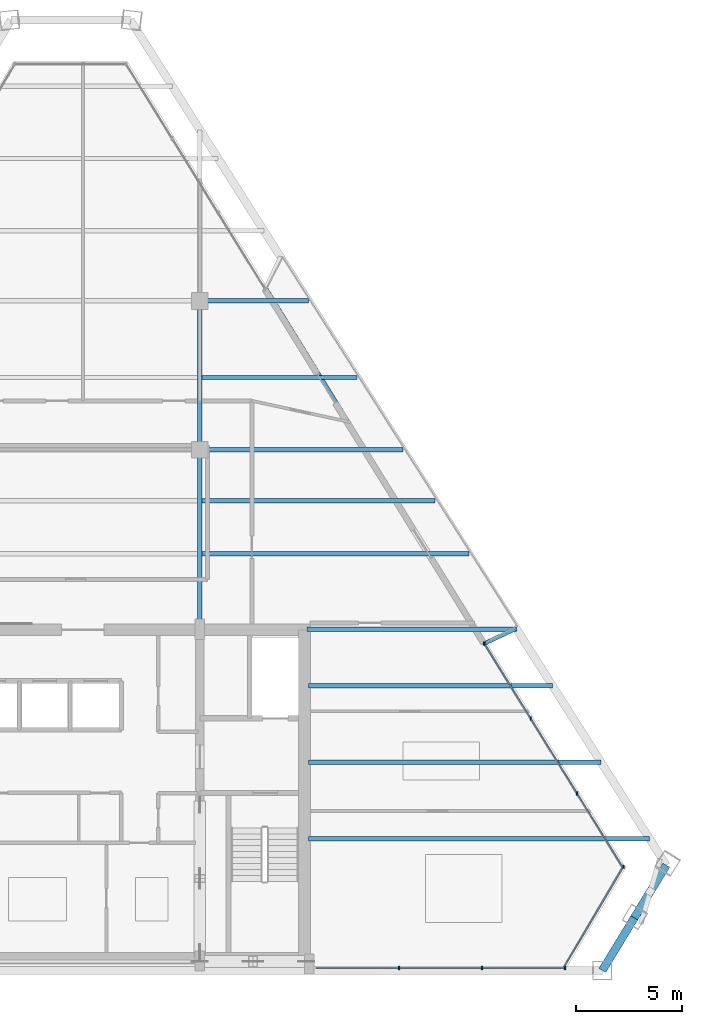
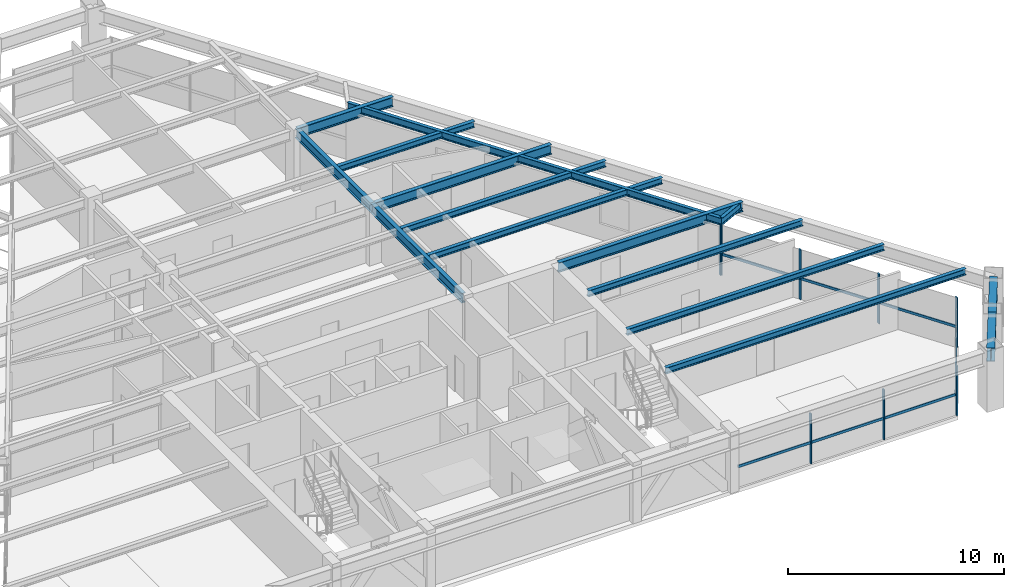
# One storey, part 5 of 13: 15 beams, 15 members, 3 elements without a shape of their own.
"""IFC4 building model written with IfcOpenShell, lengths in metres."""

from ifc_helpers import new_model, si_unit, direction, frame, origin, origin_2d, place, context, subcontext, project, spatial, rectangle, i_section, extrude, source, transform, mapped, material, material_profile, profile_set, type_object, type_shapes, element, aggregate, save


model = new_model("IFC4")

# Units and contexts
model_context = context("Model", 3, precision=1e-05, world=origin(), true_north=direction((0.0, 1.0)))
body_context = subcontext(model_context, "Body", "Model", "MODEL_VIEW")
ifc_project = project(units=[si_unit("LENGTHUNIT", "METRE"), si_unit("AREAUNIT", "SQUARE_METRE"), si_unit("VOLUMEUNIT", "CUBIC_METRE"), si_unit("PLANEANGLEUNIT", "RADIAN"), si_unit("MASSUNIT", "GRAM", prefix="KILO")], contexts=[model_context])

# Site, building, storey
site_placement = place(None, origin())
site = spatial("IfcSite", under=ifc_project, at=site_placement, CompositionType="ELEMENT")
building_placement = place(site_placement, origin())
building = spatial("IfcBuilding", under=site, at=building_placement, Name="Varnakhor Terracotta Tower", CompositionType="ELEMENT")
storey_placement = place(building_placement, frame((0.0, 0.0, 237.25)))
storey = spatial("IfcBuildingStorey", under=building, at=storey_placement, Name="L61", CompositionType="ELEMENT", Elevation=237.25)

# Beams
ifc_material_1 = material(Name="Steel S355", Category="steel")
ifc_material_profile_1 = material_profile(ifc_material_1, i_section(OverallWidth=0.214111328125, OverallDepth=0.549072265625, WebThickness=0.014892578125, FlangeThickness=0.02392578125, FilletRadius=0.01806640625, at=origin_2d()), Name="W21X93")
ifc_profile_set_1 = profile_set([ifc_material_profile_1], Name="Steel S355")
beam_type_1 = type_object("IfcBeamType", Name="BM-W21X93", PredefinedType="BEAM", material=ifc_profile_set_1)
shared_shape_1 = source(origin(), body_context, "Body", "SweptSolid", [
    extrude(i_section(OverallWidth=0.214111328125, OverallDepth=0.549072265625, WebThickness=0.014892578125, FlangeThickness=0.02392578125, FilletRadius=0.01806640625, at=origin_2d()), origin(), (0.0, 0.0, 1.0), 8.449951171875),
])
type_shapes(beam_type_1, [shared_shape_1])
beam_1_placement = place(storey_placement, frame((5.5, 16.050048828125, 2.965576171875), z_axis=(0.0, 1.0, 0.0), x_axis=(-1.0, 0.0, 0.0)))
element("IfcBeam", 1, at=beam_1_placement, inside=storey, type_object=beam_type_1, Name="L61 Primary Girder NS1-E", PredefinedType="BEAM", context=body_context, shape_type="MappedRepresentation", body=[
    mapped(shared_shape_1, transform((0.0, 0.0, 0.0), scale=1.0)),
])
shared_shape_2 = source(origin(), body_context, "Body", "SweptSolid", [
    extrude(i_section(OverallWidth=0.214111328125, OverallDepth=0.549072265625, WebThickness=0.014892578125, FlangeThickness=0.02392578125, FilletRadius=0.01806640625, at=origin_2d()), origin(), (0.0, 0.0, 1.0), 7.0),
])
beam_2_placement = place(storey_placement, frame((5.5, 24.5, 2.965576171875), z_axis=(0.0, 1.0, 0.0), x_axis=(-1.0, 0.0, 0.0)))
element("IfcBeam", 2, at=beam_2_placement, inside=storey, type_object=beam_type_1, Name="L61 Primary Girder NS2-E", PredefinedType="BEAM", context=body_context, shape_type="MappedRepresentation", body=[
    mapped(shared_shape_2, transform((0.0, 0.0, 0.0), scale=1.0)),
])
ifc_material_profile_2 = material_profile(ifc_material_1, i_section(OverallWidth=0.381103515625, OverallDepth=0.77294921875, WebThickness=0.01708984375, FlangeThickness=0.027099609375, FilletRadius=0.01806640625, at=origin_2d()), Name="W30X173")
ifc_profile_set_2 = profile_set([ifc_material_profile_2], Name="Steel S355")
beam_type_2 = type_object("IfcBeamType", Name="BM-W30X173", PredefinedType="BEAM", material=ifc_profile_set_2)
shared_shape_3 = source(origin(), body_context, "Body", "SweptSolid", [
    extrude(i_section(OverallWidth=0.381103515625, OverallDepth=0.77294921875, WebThickness=0.01708984375, FlangeThickness=0.027099609375, FilletRadius=0.01806640625, at=origin_2d()), origin(), (0.0, 0.0, 1.0), 2.89697265625),
])
for number, where, z_axis, x_axis, name in (
    (3, (24.434814453125, 0.0, 2.853515625), (0.519703642096, 0.854346606707, 0.0), (-0.854346606707, 0.519703642096, 0.0), "L61 Perimeter Spandrel 2"),
    (4, (25.9404296875, 2.47509765625, 2.853515625), (0.519642127448, 0.854384023365, 0.0), (-0.854384023365, 0.519642127448, 0.0), "L61 Perimeter Spandrel 3"),
):
    element("IfcBeam", number, at=place(storey_placement, frame(where, z_axis=z_axis, x_axis=x_axis)), inside=storey, type_object=beam_type_2, Name=name, PredefinedType="BEAM", context=body_context, shape_type="MappedRepresentation", body=[
        mapped(shared_shape_3, transform((0.0, 0.0, 0.0), scale=1.0)),
    ])
ifc_material_profile_3 = material_profile(ifc_material_1, i_section(OverallWidth=0.179931640625, OverallDepth=0.39990234375, WebThickness=0.008544921875, FlangeThickness=0.013427734375, FilletRadius=0.01806640625, at=origin_2d()), Name="IPE400")
ifc_profile_set_3 = profile_set([ifc_material_profile_3], Name="Steel S355")
beam_type_3 = type_object("IfcBeamType", Name="JST-IPE400", PredefinedType="JOIST", material=ifc_profile_set_3)
shared_shape_4 = source(origin(), body_context, "Body", "SweptSolid", [
    extrude(i_section(OverallWidth=0.179931640625, OverallDepth=0.39990234375, WebThickness=0.008544921875, FlangeThickness=0.013427734375, FilletRadius=0.01806640625, at=origin_2d()), origin(), (0.0, 0.0, 1.0), 19.658447265625),
])
beam_3_placement = place(storey_placement, frame((18.902587890625, 15.38330078125, 3.0400390625), z_axis=(-0.524731986951, 0.851267491374, 0.0), x_axis=(-0.851267491374, -0.524731986951, 0.0)))
element("IfcBeam", 5, at=beam_3_placement, inside=storey, type_object=beam_type_3, Name="L61 Loggia Edge Beam 1", PredefinedType="JOIST", context=body_context, shape_type="MappedRepresentation", body=[
    mapped(shared_shape_4, transform((0.0, 0.0, 0.0), scale=1.0)),
])
shared_shape_5 = source(origin(), body_context, "Body", "SweptSolid", [
    extrude(i_section(OverallWidth=0.214111328125, OverallDepth=0.549072265625, WebThickness=0.014892578125, FlangeThickness=0.02392578125, FilletRadius=0.01806640625, at=origin_2d()), origin(), (0.0, 0.0, 1.0), 9.8564453125),
])
beam_4_placement = place(storey_placement, frame((10.550048828125, 16.050048828125, 2.965576171875), z_axis=(1.0, 0.0, 0.0), x_axis=(0.0, 1.0, 0.0)))
element("IfcBeam", 6, at=beam_4_placement, inside=storey, type_object=beam_type_1, Name="L61 Wing Girder E", PredefinedType="BEAM", context=body_context, shape_type="MappedRepresentation", body=[
    mapped(shared_shape_5, transform((0.0, 0.0, 0.0), scale=1.0)),
])
shared_shape_6 = source(origin(), body_context, "Body", "SweptSolid", [
    extrude(i_section(OverallWidth=0.214111328125, OverallDepth=0.549072265625, WebThickness=0.014892578125, FlangeThickness=0.02392578125, FilletRadius=0.01806640625, at=origin_2d()), origin(), (0.0, 0.0, 1.0), 9.5478515625),
])
beam_5_placement = place(storey_placement, frame((5.5, 24.5, 2.965576171875), z_axis=(1.0, 0.0, 0.0), x_axis=(0.0, 1.0, 0.0)))
element("IfcBeam", 7, at=beam_5_placement, inside=storey, type_object=beam_type_1, Name="L61 Primary Girder EW2-3", PredefinedType="BEAM", context=body_context, shape_type="MappedRepresentation", body=[
    mapped(shared_shape_6, transform((0.0, 0.0, 0.0), scale=1.0)),
])
shared_shape_7 = source(origin(), body_context, "Body", "SweptSolid", [
    extrude(i_section(OverallWidth=0.214111328125, OverallDepth=0.549072265625, WebThickness=0.014892578125, FlangeThickness=0.02392578125, FilletRadius=0.01806640625, at=origin_2d()), origin(), (0.0, 0.0, 1.0), 5.1083984375),
])
beam_6_placement = place(storey_placement, frame((5.5, 31.5, 2.965576171875), z_axis=(1.0, 0.0, 0.0), x_axis=(0.0, 1.0, 0.0)))
element("IfcBeam", 8, at=beam_6_placement, inside=storey, type_object=beam_type_1, Name="L61 Primary Girder EW3-3", PredefinedType="BEAM", context=body_context, shape_type="MappedRepresentation", body=[
    mapped(shared_shape_7, transform((0.0, 0.0, 0.0), scale=1.0)),
])
ifc_material_profile_4 = material_profile(ifc_material_1, i_section(OverallWidth=0.202880859375, OverallDepth=0.346923828125, WebThickness=0.0078125, FlangeThickness=0.013427734375, FilletRadius=0.01806640625, at=origin_2d()), Name="W14X43")
ifc_profile_set_4 = profile_set([ifc_material_profile_4], Name="Steel S355")
beam_type_4 = type_object("IfcBeamType", Name="JST-W14X43", PredefinedType="JOIST", material=ifc_profile_set_4)
shared_shape_8 = source(origin(), body_context, "Body", "SweptSolid", [
    extrude(i_section(OverallWidth=0.202880859375, OverallDepth=0.346923828125, WebThickness=0.0078125, FlangeThickness=0.013427734375, FilletRadius=0.01806640625, at=origin_2d()), origin(), (0.0, 0.0, 1.0), 16.05322265625),
])
beam_7_placement = place(storey_placement, frame((10.60009765625, 6.199951171875, 3.06640625), z_axis=(1.0, 0.0, 0.0), x_axis=(0.0, 1.0, 0.0)))
element("IfcBeam", 9, at=beam_7_placement, inside=storey, type_object=beam_type_4, Name="L61 Floor Joist E1", PredefinedType="JOIST", context=body_context, shape_type="MappedRepresentation", body=[
    mapped(shared_shape_8, transform((0.0, 0.0, 0.0), scale=1.0)),
])
shared_shape_9 = source(origin(), body_context, "Body", "SweptSolid", [
    extrude(i_section(OverallWidth=0.202880859375, OverallDepth=0.346923828125, WebThickness=0.0078125, FlangeThickness=0.013427734375, FilletRadius=0.01806640625, at=origin_2d()), origin(), (0.0, 0.0, 1.0), 13.77001953125),
])
beam_8_placement = place(storey_placement, frame((10.60009765625, 9.800048828125, 3.06640625), z_axis=(1.0, 0.0, 0.0), x_axis=(0.0, 1.0, 0.0)))
element("IfcBeam", 10, at=beam_8_placement, inside=storey, type_object=beam_type_4, Name="L61 Floor Joist E2", PredefinedType="JOIST", context=body_context, shape_type="MappedRepresentation", body=[
    mapped(shared_shape_9, transform((0.0, 0.0, 0.0), scale=1.0)),
])
shared_shape_10 = source(origin(), body_context, "Body", "SweptSolid", [
    extrude(i_section(OverallWidth=0.202880859375, OverallDepth=0.346923828125, WebThickness=0.0078125, FlangeThickness=0.013427734375, FilletRadius=0.01806640625, at=origin_2d()), origin(), (0.0, 0.0, 1.0), 11.487060546875),
])
beam_9_placement = place(storey_placement, frame((10.60009765625, 13.39990234375, 3.06640625), z_axis=(1.0, 0.0, 0.0), x_axis=(0.0, 1.0, 0.0)))
element("IfcBeam", 11, at=beam_9_placement, inside=storey, type_object=beam_type_4, Name="L61 Floor Joist E3", PredefinedType="JOIST", context=body_context, shape_type="MappedRepresentation", body=[
    mapped(shared_shape_10, transform((0.0, 0.0, 0.0), scale=1.0)),
])
shared_shape_11 = source(origin(), body_context, "Body", "SweptSolid", [
    extrude(i_section(OverallWidth=0.202880859375, OverallDepth=0.346923828125, WebThickness=0.0078125, FlangeThickness=0.013427734375, FilletRadius=0.01806640625, at=origin_2d()), origin(), (0.0, 0.0, 1.0), 12.55224609375),
])
beam_10_placement = place(storey_placement, frame((5.60302734375, 19.60009765625, 3.06640625), z_axis=(1.0, 0.0, 0.0), x_axis=(0.0, 1.0, 0.0)))
element("IfcBeam", 12, at=beam_10_placement, inside=storey, type_object=beam_type_4, Name="L61 Composite Floor Joist 4-3", PredefinedType="JOIST", context=body_context, shape_type="MappedRepresentation", body=[
    mapped(shared_shape_11, transform((0.0, 0.0, 0.0), scale=1.0)),
])
shared_shape_12 = source(origin(), body_context, "Body", "SweptSolid", [
    extrude(i_section(OverallWidth=0.202880859375, OverallDepth=0.346923828125, WebThickness=0.0078125, FlangeThickness=0.013427734375, FilletRadius=0.01806640625, at=origin_2d()), origin(), (0.0, 0.0, 1.0), 10.966796875),
])
beam_11_placement = place(storey_placement, frame((5.60302734375, 22.10009765625, 3.06640625), z_axis=(1.0, 0.0, 0.0), x_axis=(0.0, 1.0, 0.0)))
element("IfcBeam", 13, at=beam_11_placement, inside=storey, type_object=beam_type_4, Name="L61 Composite Floor Joist 5-3", PredefinedType="JOIST", context=body_context, shape_type="MappedRepresentation", body=[
    mapped(shared_shape_12, transform((0.0, 0.0, 0.0), scale=1.0)),
])
shared_shape_13 = source(origin(), body_context, "Body", "SweptSolid", [
    extrude(i_section(OverallWidth=0.202880859375, OverallDepth=0.346923828125, WebThickness=0.0078125, FlangeThickness=0.013427734375, FilletRadius=0.01806640625, at=origin_2d()), origin(), (0.0, 0.0, 1.0), 7.28857421875),
])
beam_12_placement = place(storey_placement, frame((5.60302734375, 27.89990234375, 3.06640625), z_axis=(1.0, 0.0, 0.0), x_axis=(0.0, 1.0, 0.0)))
element("IfcBeam", 14, at=beam_12_placement, inside=storey, type_object=beam_type_4, Name="L61 Composite Floor Joist 6-3", PredefinedType="JOIST", context=body_context, shape_type="MappedRepresentation", body=[
    mapped(shared_shape_13, transform((0.0, 0.0, 0.0), scale=1.0)),
])

# Curtain wall, members
ifc_material_2 = material(Name="Anodised Aluminium Curtain Wall System", Category="aluminium")
curtain_wall_type = type_object("IfcCurtainWallType", Name="CW-SYS-HOTEL-LOGGIA", PredefinedType="NOTDEFINED", material=ifc_material_2)
curtain_wall_1_placement = place(storey_placement, origin())
curtain_wall_1 = element("IfcCurtainWall", 15, at=curtain_wall_1_placement, inside=storey, type_object=curtain_wall_type, Name="L61 E Facet Curtain Wall 2", PredefinedType="NOTDEFINED")
ifc_material_3 = material(Name="Anodised Aluminium 6063-T6", Category="aluminium")
ifc_material_profile_5 = material_profile(ifc_material_3, rectangle(XDim=0.06494140625, YDim=0.159912109375, at=origin_2d()), Name="ALU MULLION 65x160")
ifc_profile_set_5 = profile_set([ifc_material_profile_5], Name="Anodised Aluminium 6063-T6")
member_type_1 = type_object("IfcMemberType", Name="CWM-04", PredefinedType="MULLION", material=ifc_profile_set_5)
shared_shape_14 = source(origin(), body_context, "Body", "SweptSolid", [
    extrude(rectangle(XDim=0.06494140625, YDim=0.159912109375, at=origin_2d()), origin(), (0.0, 0.0, 1.0), 2.820068359375),
])
type_shapes(member_type_1, [shared_shape_14])
member_1_placement = place(storey_placement, frame((18.892578125, 15.371826171875, 0.0), z_axis=(0.0, 0.0, 1.0), x_axis=(1.0, 0.0, 0.0)))
member_1 = element("IfcMember", 16, at=member_1_placement, type_object=member_type_1, Name="L61 E Facet Curtain Wall 2 Mullion 1", PredefinedType="MULLION", context=body_context, shape_type="MappedRepresentation", body=[
    mapped(shared_shape_14, transform((0.0, 0.0, 0.0), scale=1.0)),
])
member_2_placement = place(storey_placement, frame((21.0703125, 11.849609375, 0.0), z_axis=(0.0, 0.0, 1.0), x_axis=(1.0, 0.0, 0.0)))
member_2 = element("IfcMember", 17, at=member_2_placement, type_object=member_type_1, Name="L61 E Facet Curtain Wall 2 Mullion 2", PredefinedType="MULLION", context=body_context, shape_type="MappedRepresentation", body=[
    mapped(shared_shape_14, transform((0.0, 0.0, 0.0), scale=1.0)),
])
member_3_placement = place(storey_placement, frame((23.247802734375, 8.327392578125, 0.0), z_axis=(0.0, 0.0, 1.0), x_axis=(1.0, 0.0, 0.0)))
member_3 = element("IfcMember", 18, at=member_3_placement, type_object=member_type_1, Name="L61 E Facet Curtain Wall 2 Mullion 3", PredefinedType="MULLION", context=body_context, shape_type="MappedRepresentation", body=[
    mapped(shared_shape_14, transform((0.0, 0.0, 0.0), scale=1.0)),
])
member_4_placement = place(storey_placement, frame((18.85986328125, 15.38671875, 0.0), z_axis=(0.0, 0.0, 1.0), x_axis=(1.0, 0.0, 0.0)))
member_4 = element("IfcMember", 19, at=member_4_placement, type_object=member_type_1, Name="L61 E Loggia Jamb Closure Mullion 2", PredefinedType="MULLION", context=body_context, shape_type="MappedRepresentation", body=[
    mapped(shared_shape_14, transform((0.0, 0.0, 0.0), scale=1.0)),
])

# Curtain wall, member
curtain_wall_2_placement = place(storey_placement, origin())
curtain_wall_2 = element("IfcCurtainWall", 20, at=curtain_wall_2_placement, inside=storey, type_object=curtain_wall_type, Name="L61 Facet Curtain Wall 4", PredefinedType="NOTDEFINED")
member_5_placement = place(storey_placement, frame((25.424560546875, 4.8779296875, 0.0), z_axis=(0.0, 0.0, 1.0), x_axis=(1.0, 0.0, 0.0)))
member_5 = element("IfcMember", 21, at=member_5_placement, type_object=member_type_1, Name="L61 Facet Curtain Wall 4 Mullion 1", PredefinedType="MULLION", context=body_context, shape_type="MappedRepresentation", body=[
    mapped(shared_shape_14, transform((0.0, 0.0, 0.0), scale=1.0)),
])

# Curtain wall, members
curtain_wall_3_placement = place(storey_placement, origin())
curtain_wall_3 = element("IfcCurtainWall", 22, at=curtain_wall_3_placement, inside=storey, type_object=curtain_wall_type, Name="L61 South Wing Curtain Wall SSE", PredefinedType="NOTDEFINED")
member_6_placement = place(storey_placement, frame((22.671630859375, 0.1201171875, 0.0), z_axis=(0.0, 0.0, 1.0), x_axis=(1.0, 0.0, 0.0)))
member_6 = element("IfcMember", 23, at=member_6_placement, type_object=member_type_1, Name="L61 South Wing Curtain Wall SSE Mullion 1", PredefinedType="MULLION", context=body_context, shape_type="MappedRepresentation", body=[
    mapped(shared_shape_14, transform((0.0, 0.0, 0.0), scale=1.0)),
])
member_7_placement = place(storey_placement, frame((18.77099609375, 0.1201171875, 0.0), z_axis=(0.0, 0.0, 1.0), x_axis=(1.0, 0.0, 0.0)))
member_7 = element("IfcMember", 24, at=member_7_placement, type_object=member_type_1, Name="L61 South Wing Curtain Wall SSE Mullion 2", PredefinedType="MULLION", context=body_context, shape_type="MappedRepresentation", body=[
    mapped(shared_shape_14, transform((0.0, 0.0, 0.0), scale=1.0)),
])
member_8_placement = place(storey_placement, frame((14.87060546875, 0.1201171875, 0.0), z_axis=(0.0, 0.0, 1.0), x_axis=(1.0, 0.0, 0.0)))
member_8 = element("IfcMember", 25, at=member_8_placement, type_object=member_type_1, Name="L61 South Wing Curtain Wall SSE Mullion 3", PredefinedType="MULLION", context=body_context, shape_type="MappedRepresentation", body=[
    mapped(shared_shape_14, transform((0.0, 0.0, 0.0), scale=1.0)),
])

# Beam
shared_shape_15 = source(origin(), body_context, "Body", "SweptSolid", [
    extrude(i_section(OverallWidth=0.179931640625, OverallDepth=0.39990234375, WebThickness=0.008544921875, FlangeThickness=0.013427734375, FilletRadius=0.01806640625, at=origin_2d()), origin(), (0.0, 0.0, 1.0), 1.639404296875),
])
beam_13_placement = place(storey_placement, frame((18.902587890625, 15.38330078125, 3.0400390625), z_axis=(0.903555807088, 0.428470423107, 0.0), x_axis=(-0.428470423107, 0.903555807088, 0.0)))
element("IfcBeam", 26, at=beam_13_placement, inside=storey, type_object=beam_type_3, Name="L62 E Loggia Tie Beam 2", PredefinedType="JOIST", context=body_context, shape_type="MappedRepresentation", body=[
    mapped(shared_shape_15, transform((0.0, 0.0, 0.0), scale=1.0)),
])

# Member
ifc_material_profile_6 = material_profile(ifc_material_3, rectangle(XDim=0.06494140625, YDim=0.14501953125, at=origin_2d()), Name="ALU TRANSOM 65x145")
ifc_profile_set_6 = profile_set([ifc_material_profile_6], Name="Anodised Aluminium 6063-T6")
member_type_2 = type_object("IfcMemberType", Name="CWT-04", PredefinedType="USERDEFINED", material=ifc_profile_set_6)
shared_shape_16 = source(origin(), body_context, "Body", "SweptSolid", [
    extrude(rectangle(XDim=0.06494140625, YDim=0.14501953125, at=origin_2d()), origin(), (0.0, 0.0, 1.0), 4.14111328125),
])
member_9_placement = place(storey_placement, frame((18.892578125, 15.371826171875, 1.184326171875), z_axis=(0.525885691054, -0.850555253905, 0.0), x_axis=(0.850555253905, 0.525885691054, 0.0)))
member_9 = element("IfcMember", 27, at=member_9_placement, type_object=member_type_2, Name="L61 E Facet Curtain Wall 2 Transom 1", ObjectType="TRANSOM", PredefinedType="USERDEFINED", context=body_context, shape_type="MappedRepresentation", body=[
    mapped(shared_shape_16, transform((0.0, 0.0, 0.0), scale=1.0)),
])

shared_shape_17 = source(origin(), body_context, "Body", "SweptSolid", [
    extrude(rectangle(XDim=0.06494140625, YDim=0.14501953125, at=origin_2d()), origin(), (0.0, 0.0, 1.0), 4.140869140625),
])
member_10_placement = place(storey_placement, frame((21.0703125, 11.849609375, 1.184326171875), z_axis=(0.52584303784, -0.850581624276, 0.0), x_axis=(0.850581624276, 0.52584303784, 0.0)))
member_10 = element("IfcMember", 28, at=member_10_placement, type_object=member_type_2, Name="L61 E Facet Curtain Wall 2 Transom 2", ObjectType="TRANSOM", PredefinedType="USERDEFINED", context=body_context, shape_type="MappedRepresentation", body=[
    mapped(shared_shape_17, transform((0.0, 0.0, 0.0), scale=1.0)),
])

member_11_placement = place(storey_placement, frame((23.247802734375, 8.327392578125, 1.184326171875), z_axis=(0.52584303784, -0.850581624276, 0.0), x_axis=(0.850581624276, 0.52584303784, 0.0)))
member_11 = element("IfcMember", 29, at=member_11_placement, type_object=member_type_2, Name="L61 E Facet Curtain Wall 2 Transom 3", ObjectType="TRANSOM", PredefinedType="USERDEFINED", context=body_context, shape_type="MappedRepresentation", body=[
    mapped(shared_shape_17, transform((0.0, 0.0, 0.0), scale=1.0)),
])

aggregate(curtain_wall_1, [member_1, member_9, member_2, member_10, member_3, member_11, member_4])

shared_shape_18 = source(origin(), body_context, "Body", "SweptSolid", [
    extrude(rectangle(XDim=0.06494140625, YDim=0.14501953125, at=origin_2d()), origin(), (0.0, 0.0, 1.0), 5.56494140625),
])
member_12_placement = place(storey_placement, frame((25.424560546875, 4.8779296875, 1.184326171875), z_axis=(-0.508729312127, -0.860926528214, 0.0), x_axis=(0.860926528214, -0.508729312127, 0.0)))
member_12 = element("IfcMember", 30, at=member_12_placement, type_object=member_type_2, Name="L61 Facet Curtain Wall 4 Transom 1", ObjectType="TRANSOM", PredefinedType="USERDEFINED", context=body_context, shape_type="MappedRepresentation", body=[
    mapped(shared_shape_18, transform((0.0, 0.0, 0.0), scale=1.0)),
])

aggregate(curtain_wall_2, [member_5, member_12])

shared_shape_19 = source(origin(), body_context, "Body", "SweptSolid", [
    extrude(rectangle(XDim=0.06494140625, YDim=0.14501953125, at=origin_2d()), origin(), (0.0, 0.0, 1.0), 3.900634765625),
])
member_13_placement = place(storey_placement, frame((22.671630859375, 0.1201171875, 1.184326171875), z_axis=(-1.0, 0.0, 0.0), x_axis=(0.0, -1.0, 0.0)))
member_13 = element("IfcMember", 31, at=member_13_placement, type_object=member_type_2, Name="L61 South Wing Curtain Wall SSE Transom 1", ObjectType="TRANSOM", PredefinedType="USERDEFINED", context=body_context, shape_type="MappedRepresentation", body=[
    mapped(shared_shape_19, transform((0.0, 0.0, 0.0), scale=1.0)),
])

member_14_placement = place(storey_placement, frame((14.87060546875, 0.1201171875, 1.184326171875), z_axis=(-1.0, 0.0, 0.0), x_axis=(0.0, -1.0, 0.0)))
member_14 = element("IfcMember", 32, at=member_14_placement, type_object=member_type_2, Name="L61 South Wing Curtain Wall SSE Transom 3", ObjectType="TRANSOM", PredefinedType="USERDEFINED", context=body_context, shape_type="MappedRepresentation", body=[
    mapped(shared_shape_19, transform((0.0, 0.0, 0.0), scale=1.0)),
])

shared_shape_20 = source(origin(), body_context, "Body", "SweptSolid", [
    extrude(rectangle(XDim=0.06494140625, YDim=0.14501953125, at=origin_2d()), origin(), (0.0, 0.0, 1.0), 3.900390625),
])
member_15_placement = place(storey_placement, frame((18.77099609375, 0.1201171875, 1.184326171875), z_axis=(-1.0, 0.0, 0.0), x_axis=(0.0, -1.0, 0.0)))
member_15 = element("IfcMember", 33, at=member_15_placement, type_object=member_type_2, Name="L61 South Wing Curtain Wall SSE Transom 2", ObjectType="TRANSOM", PredefinedType="USERDEFINED", context=body_context, shape_type="MappedRepresentation", body=[
    mapped(shared_shape_20, transform((0.0, 0.0, 0.0), scale=1.0)),
])

aggregate(curtain_wall_3, [member_6, member_13, member_7, member_15, member_8, member_14])

save(model, "model.ifc")
